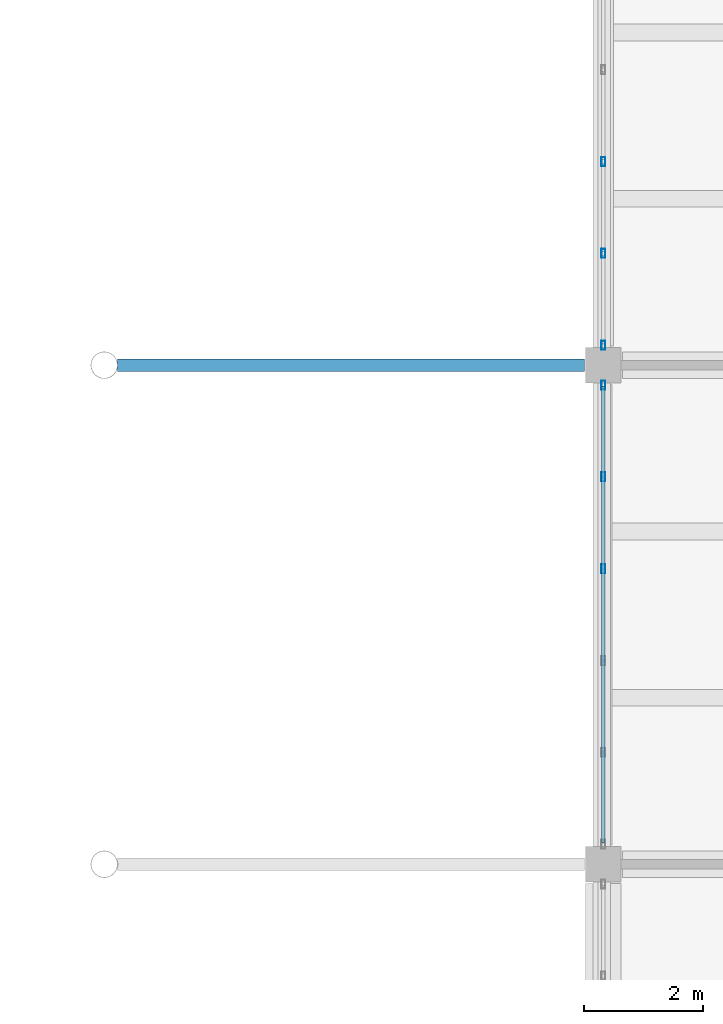
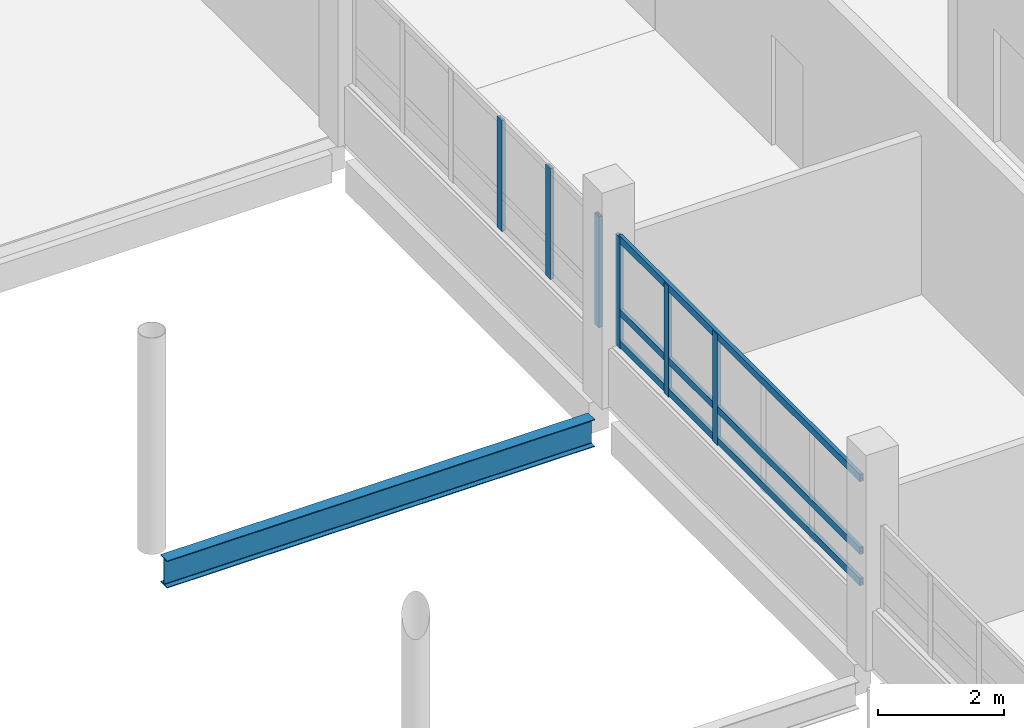
# One storey, part 65 of 130: 9 members, 1 beam, 2 elements without a shape of their own.
"""IFC4 building model written with IfcOpenShell, lengths in metres."""

from ifc_helpers import new_model, si_unit, direction, frame, origin, origin_2d, place, context, subcontext, project, spatial, hollow_rectangle, i_section, extrude, material, layer, layer_set, material_profile, profile_set, type_object, element, aggregate, save


model = new_model("IFC4")

# Units and contexts
model_context = context("Model", 3, precision=1e-05, world=origin(), true_north=direction((0.0, 1.0)))
body_context = subcontext(model_context, "Body", "Model", "MODEL_VIEW")
ifc_project = project(units=[si_unit("LENGTHUNIT", "METRE"), si_unit("AREAUNIT", "SQUARE_METRE"), si_unit("VOLUMEUNIT", "CUBIC_METRE"), si_unit("PLANEANGLEUNIT", "RADIAN"), si_unit("MASSUNIT", "GRAM", prefix="KILO")], contexts=[model_context])

# Site, building, storey
site_placement = place(None, origin())
site = spatial("IfcSite", under=ifc_project, at=site_placement, CompositionType="ELEMENT")
building_placement = place(site_placement, origin())
building = spatial("IfcBuilding", under=site, at=building_placement, Name="Vireocrest Preparatory School", CompositionType="ELEMENT")
storey_placement = place(building_placement, frame((0.0, 0.0, 9.0)))
storey = spatial("IfcBuildingStorey", under=building, at=storey_placement, Name="L02", CompositionType="ELEMENT", Elevation=9.0)

# Curtain wall, members
ifc_material_1 = material(Name="Thermally broken aluminium EN AW-6063-T6", Category="aluminium")
ifc_layer = layer(ifc_material_1, 0.179931640625)
ifc_layer_set = layer_set([ifc_layer], Name="Thermally broken aluminium EN AW-6063-T6")
curtain_wall_type = type_object("IfcCurtainWallType", Name="Court Banded Curtain Wall 8400x3000", PredefinedType="USERDEFINED", material=ifc_layer_set)
curtain_wall_1_placement = place(storey_placement, origin())
curtain_wall_1 = element("IfcCurtainWall", 1, at=curtain_wall_1_placement, inside=storey, type_object=curtain_wall_type, Name="Curtain Wall CW02 CW_L02_CW02_0924_0693_102", ObjectType="CURTAIN WALL", PredefinedType="USERDEFINED")
ifc_material_profile_1 = material_profile(ifc_material_1, hollow_rectangle(XDim=0.06494140625, YDim=0.14990234375, WallThickness=0.00390625, at=origin_2d()), Name="ALU 65x150x4")
ifc_profile_set_1 = profile_set([ifc_material_profile_1], Name="Thermally broken aluminium EN AW-6063-T6")
member_type_1 = type_object("IfcMemberType", Name="CW Mullion 65x150x4", PredefinedType="MULLION", material=ifc_profile_set_1)
member_1_placement = place(storey_placement, frame((92.39990234375, 73.972900390625, 1.14990234375), z_axis=(0.0, 0.0, 1.0), x_axis=(1.0, 0.0, 0.0)))
member_1 = element("IfcMember", 2, at=member_1_placement, type_object=member_type_1, Name="CW Mullion ML1 CW_L02_CW02_0924_0693_102-4", PredefinedType="MULLION", context=body_context, shape_type="SweptSolid", body=[
    extrude(hollow_rectangle(XDim=0.06494140625, YDim=0.14990234375, WallThickness=0.00390625, at=origin_2d()), origin(), (0.0, 0.0, 1.0), 2.155029296875),
])
member_2_placement = place(storey_placement, frame((92.39990234375, 75.51904296875, 1.14990234375), z_axis=(0.0, 0.0, 1.0), x_axis=(1.0, 0.0, 0.0)))
member_2 = element("IfcMember", 3, at=member_2_placement, type_object=member_type_1, Name="CW Mullion ML1 CW_L02_CW02_0924_0693_102-5", PredefinedType="MULLION", context=body_context, shape_type="SweptSolid", body=[
    extrude(hollow_rectangle(XDim=0.06494140625, YDim=0.14990234375, WallThickness=0.00390625, at=origin_2d()), origin(), (0.0, 0.0, 1.0), 2.155029296875),
])
member_3_placement = place(storey_placement, frame((92.39990234375, 77.06494140625, 1.14990234375), z_axis=(0.0, 0.0, 1.0), x_axis=(1.0, 0.0, 0.0)))
member_3 = element("IfcMember", 4, at=member_3_placement, type_object=member_type_1, Name="CW Mullion ML1 CW_L02_CW02_0924_0693_102-6", PredefinedType="MULLION", context=body_context, shape_type="SweptSolid", body=[
    extrude(hollow_rectangle(XDim=0.06494140625, YDim=0.14990234375, WallThickness=0.00390625, at=origin_2d()), origin(), (0.0, 0.0, 1.0), 2.155029296875),
])

curtain_wall_2_placement = place(storey_placement, origin())
curtain_wall_2 = element("IfcCurtainWall", 5, at=curtain_wall_2_placement, inside=storey, type_object=curtain_wall_type, Name="Curtain Wall CW02 CW_L02_CW02_0924_0777_102", ObjectType="CURTAIN WALL", PredefinedType="USERDEFINED")
member_4_placement = place(storey_placement, frame((92.39990234375, 77.735107421875, 1.14990234375), z_axis=(0.0, 0.0, 1.0), x_axis=(1.0, 0.0, 0.0)))
member_4 = element("IfcMember", 6, at=member_4_placement, type_object=member_type_1, Name="CW Mullion ML1 CW_L02_CW02_0924_0777_102-1", PredefinedType="MULLION", context=body_context, shape_type="SweptSolid", body=[
    extrude(hollow_rectangle(XDim=0.06494140625, YDim=0.14990234375, WallThickness=0.00390625, at=origin_2d()), origin(), (0.0, 0.0, 1.0), 2.155029296875),
])
member_5_placement = place(storey_placement, frame((92.39990234375, 79.281005859375, 1.14990234375), z_axis=(0.0, 0.0, 1.0), x_axis=(1.0, 0.0, 0.0)))
member_5 = element("IfcMember", 7, at=member_5_placement, type_object=member_type_1, Name="CW Mullion ML1 CW_L02_CW02_0924_0777_102-2", PredefinedType="MULLION", context=body_context, shape_type="SweptSolid", body=[
    extrude(hollow_rectangle(XDim=0.06494140625, YDim=0.14990234375, WallThickness=0.00390625, at=origin_2d()), origin(), (0.0, 0.0, 1.0), 2.155029296875),
])
member_6_placement = place(storey_placement, frame((92.39990234375, 80.826904296875, 1.14990234375), z_axis=(0.0, 0.0, 1.0), x_axis=(1.0, 0.0, 0.0)))
member_6 = element("IfcMember", 8, at=member_6_placement, type_object=member_type_1, Name="CW Mullion ML1 CW_L02_CW02_0924_0777_102-3", PredefinedType="MULLION", context=body_context, shape_type="SweptSolid", body=[
    extrude(hollow_rectangle(XDim=0.06494140625, YDim=0.14990234375, WallThickness=0.00390625, at=origin_2d()), origin(), (0.0, 0.0, 1.0), 2.155029296875),
])
aggregate(curtain_wall_2, [member_4, member_5, member_6])

# Member
ifc_material_profile_2 = material_profile(ifc_material_1, hollow_rectangle(XDim=0.06494140625, YDim=0.139892578125, WallThickness=0.00390625, at=origin_2d()), Name="ALU 65x140x4")
ifc_profile_set_2 = profile_set([ifc_material_profile_2], Name="Thermally broken aluminium EN AW-6063-T6")
member_type_2 = type_object("IfcMemberType", Name="CW Transom 65x140x4", PredefinedType="USERDEFINED", material=ifc_profile_set_2)
member_7_placement = place(storey_placement, frame((92.39990234375, 69.360107421875, 1.2451171875), z_axis=(0.0, 1.0, 0.0), x_axis=(-1.0, 0.0, 0.0)))
member_7 = element("IfcMember", 9, at=member_7_placement, type_object=member_type_2, Name="CW Transom TR1 CW_L02_CW02_0924_0693_102-1", ObjectType="TRANSOM", PredefinedType="USERDEFINED", context=body_context, shape_type="SweptSolid", body=[
    extrude(hollow_rectangle(XDim=0.06494140625, YDim=0.139892578125, WallThickness=0.00390625, at=origin_2d()), origin(), (0.0, 0.0, 1.0), 7.679931640625),
])

member_8_placement = place(storey_placement, frame((92.39990234375, 69.360107421875, 1.85009765625), z_axis=(0.0, 1.0, 0.0), x_axis=(-1.0, 0.0, 0.0)))
member_8 = element("IfcMember", 10, at=member_8_placement, type_object=member_type_2, Name="CW Transom TR1 CW_L02_CW02_0924_0693_102-2", ObjectType="TRANSOM", PredefinedType="USERDEFINED", context=body_context, shape_type="SweptSolid", body=[
    extrude(hollow_rectangle(XDim=0.06494140625, YDim=0.139892578125, WallThickness=0.00390625, at=origin_2d()), origin(), (0.0, 0.0, 1.0), 7.679931640625),
])

member_9_placement = place(storey_placement, frame((92.39990234375, 69.360107421875, 3.264892578125), z_axis=(0.0, 1.0, 0.0), x_axis=(-1.0, 0.0, 0.0)))
member_9 = element("IfcMember", 11, at=member_9_placement, type_object=member_type_2, Name="CW Transom TR1 CW_L02_CW02_0924_0693_102-3", ObjectType="TRANSOM", PredefinedType="USERDEFINED", context=body_context, shape_type="SweptSolid", body=[
    extrude(hollow_rectangle(XDim=0.06494140625, YDim=0.139892578125, WallThickness=0.00390625, at=origin_2d()), origin(), (0.0, 0.0, 1.0), 7.679931640625),
])

aggregate(curtain_wall_1, [member_1, member_2, member_3, member_7, member_8, member_9])

# Beam
ifc_material_2 = material(Name="Structural steel ASTM A992 Grade 50", Category="steel")
ifc_material_profile_3 = material_profile(ifc_material_2, i_section(OverallWidth=0.208984375, OverallDepth=0.532958984375, WebThickness=0.01025390625, FlangeThickness=0.015625, FilletRadius=0.014892578125, at=origin_2d()), Name="W21X62")
ifc_profile_set_3 = profile_set([ifc_material_profile_3], Name="Structural steel ASTM A992 Grade 50")
beam_type = type_object("IfcBeamType", Name="Court Tie Girder W21X62", PredefinedType="BEAM", material=ifc_profile_set_3)
beam_placement = place(storey_placement, frame((84.2236328125, 77.39990234375, -0.56640625), z_axis=(1.0, 0.0, 0.0), x_axis=(0.0, 1.0, 0.0)))
element("IfcBeam", 12, at=beam_placement, inside=storey, type_object=beam_type, Name="Court Trunk Lateral Tie Girder SB5 E7 L02", PredefinedType="BEAM", context=body_context, shape_type="SweptSolid", body=[
    extrude(i_section(OverallWidth=0.208984375, OverallDepth=0.532958984375, WebThickness=0.01025390625, FlangeThickness=0.015625, FilletRadius=0.014892578125, at=origin_2d()), origin(), (0.0, 0.0, 1.0), 7.8564453125),
])

save(model, "model.ifc")
